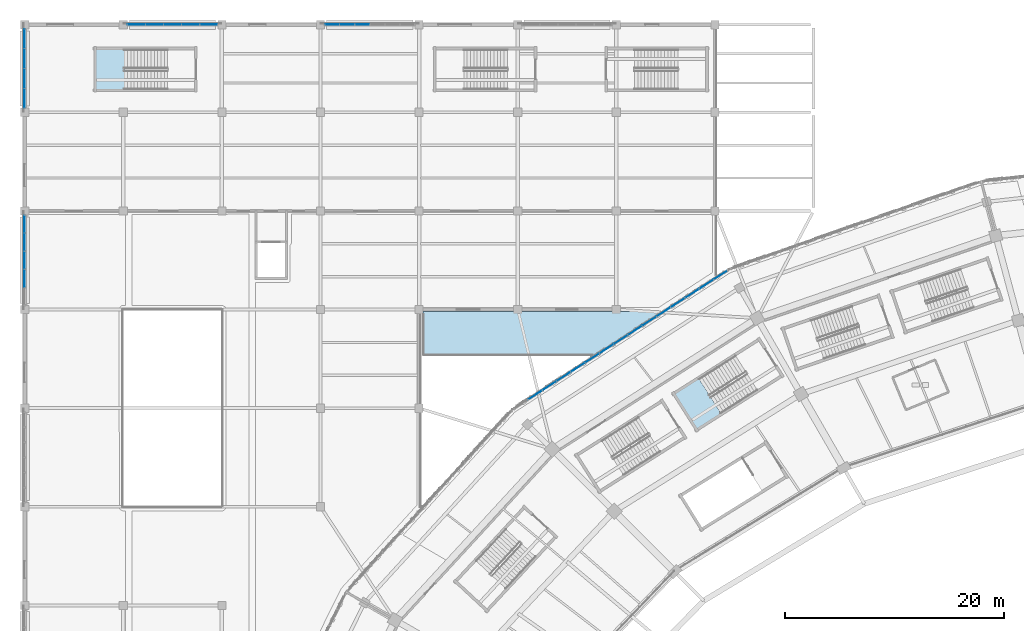
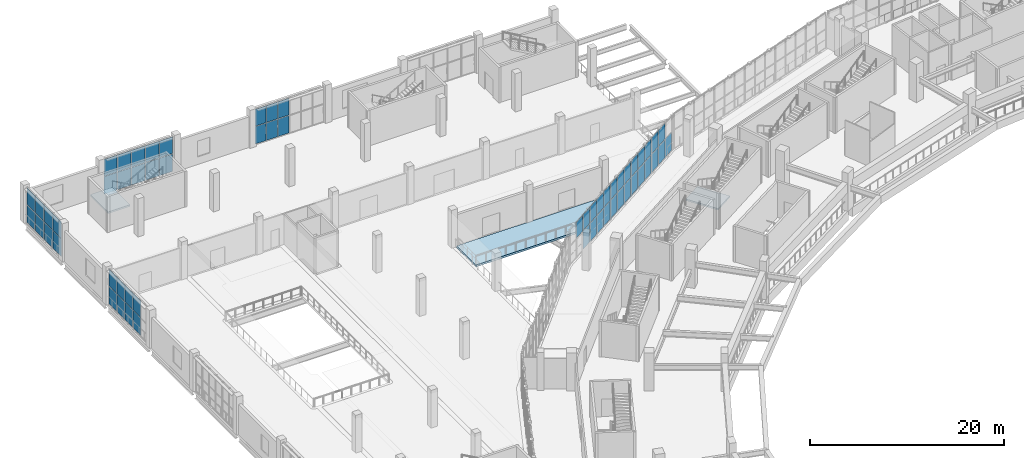
# One storey, part 90 of 179: 58 plates, 3 slabs, 7 elements without a shape of their own.
"""IFC4 building model written with IfcOpenShell, lengths in metres."""

from ifc_helpers import new_model, si_unit, direction, frame, origin, origin_2d, place, context, subcontext, project, spatial, polyline, rectangle, outline, extrude, material, layer, layer_set, type_object, element, aggregate, save


model = new_model("IFC4")

# Units and contexts
model_context = context("Model", 3, precision=1e-05, world=origin(), true_north=direction((0.0, 1.0)))
body_context = subcontext(model_context, "Body", "Model", "MODEL_VIEW")
ifc_project = project(units=[si_unit("LENGTHUNIT", "METRE"), si_unit("AREAUNIT", "SQUARE_METRE"), si_unit("VOLUMEUNIT", "CUBIC_METRE"), si_unit("PLANEANGLEUNIT", "RADIAN"), si_unit("MASSUNIT", "GRAM", prefix="KILO")], contexts=[model_context])

# Site, building, storey
site_placement = place(None, origin())
site = spatial("IfcSite", under=ifc_project, at=site_placement, CompositionType="ELEMENT")
building_placement = place(site_placement, origin())
building = spatial("IfcBuilding", under=site, at=building_placement, Name="Zevraka Park Crest Stadium", CompositionType="ELEMENT")
storey_placement = place(building_placement, frame((0.0, 0.0, 10.199951171875)))
storey = spatial("IfcBuildingStorey", under=building, at=storey_placement, Name="L02", CompositionType="ELEMENT", Elevation=10.199951171875)

# Curtain wall, plates
ifc_material_1 = material(Name="Anodised architectural aluminium and laminated safety glass", Category="aluminium")
curtain_wall_type_1 = type_object("IfcCurtainWallType", Name="CW08", PredefinedType="NOTDEFINED", material=ifc_material_1)
curtain_wall_1_placement = place(storey_placement, origin())
curtain_wall_1 = element("IfcCurtainWall", 1, at=curtain_wall_1_placement, inside=storey, type_object=curtain_wall_type_1, Name="Unitised Ring Curtain Wall CW08 L02-08", PredefinedType="NOTDEFINED")
ifc_material_2 = material(Name="Solar-control laminated double glazing", Category="glass")
ifc_layer_1 = layer(ifc_material_2, 0.028076171875)
ifc_layer_set_1 = layer_set([ifc_layer_1], Name="Solar-control laminated double glazing")
plate_type_1 = type_object("IfcPlateType", Name="CP08", PredefinedType="CURTAIN_PANEL", material=ifc_layer_set_1)
plate_1_placement = place(storey_placement, frame((63.510986328125, 161.141845703125, 0.06494140625), z_axis=(0.0, 0.0, 1.0), x_axis=(-0.839670424967, -0.543096287444, 0.0)))
plate_1 = element("IfcPlate", 2, at=plate_1_placement, type_object=plate_type_1, Name="CW08 panel 1.1", PredefinedType="CURTAIN_PANEL", context=body_context, shape_type="SweptSolid", body=[
    extrude(rectangle(XDim=1.4541015625, YDim=0.028076171875, at=origin_2d()), origin(), (0.0, 0.0, 1.0), 2.302490234375),
])
plate_2_placement = place(storey_placement, frame((62.2216796875, 160.307861328125, 0.06494140625), z_axis=(0.0, 0.0, 1.0), x_axis=(-0.839670424967, -0.543096287444, 0.0)))
plate_2 = element("IfcPlate", 3, at=plate_2_placement, type_object=plate_type_1, Name="CW08 panel 2.1", PredefinedType="CURTAIN_PANEL", context=body_context, shape_type="SweptSolid", body=[
    extrude(rectangle(XDim=1.48681640625, YDim=0.028076171875, at=origin_2d()), origin(), (0.0, 0.0, 1.0), 2.302490234375),
])
plate_3_placement = place(storey_placement, frame((62.2216796875, 160.307861328125, 2.4326171875), z_axis=(0.0, 0.0, 1.0), x_axis=(-0.839670424967, -0.543096287444, 0.0)))
plate_3 = element("IfcPlate", 4, at=plate_3_placement, type_object=plate_type_1, Name="CW08 panel 2.2", PredefinedType="CURTAIN_PANEL", context=body_context, shape_type="SweptSolid", body=[
    extrude(rectangle(XDim=1.48681640625, YDim=0.028076171875, at=origin_2d()), origin(), (0.0, 0.0, 1.0), 2.00244140625),
])
plate_4_placement = place(storey_placement, frame((60.918701171875, 159.465087890625, 0.06494140625), z_axis=(0.0, 0.0, 1.0), x_axis=(-0.839670424967, -0.543096287444, 0.0)))
plate_4 = element("IfcPlate", 5, at=plate_4_placement, type_object=plate_type_1, Name="CW08 panel 3.1", PredefinedType="CURTAIN_PANEL", context=body_context, shape_type="SweptSolid", body=[
    extrude(rectangle(XDim=1.48681640625, YDim=0.028076171875, at=origin_2d()), origin(), (0.0, 0.0, 1.0), 2.302490234375),
])
plate_5_placement = place(storey_placement, frame((60.918701171875, 159.465087890625, 2.4326171875), z_axis=(0.0, 0.0, 1.0), x_axis=(-0.839670424967, -0.543096287444, 0.0)))
plate_5 = element("IfcPlate", 6, at=plate_5_placement, type_object=plate_type_1, Name="CW08 panel 3.2", PredefinedType="CURTAIN_PANEL", context=body_context, shape_type="SweptSolid", body=[
    extrude(rectangle(XDim=1.48681640625, YDim=0.028076171875, at=origin_2d()), origin(), (0.0, 0.0, 1.0), 2.00244140625),
])
plate_6_placement = place(storey_placement, frame((59.61572265625, 158.622314453125, 0.06494140625), z_axis=(0.0, 0.0, 1.0), x_axis=(-0.839670424967, -0.543096287444, 0.0)))
plate_6 = element("IfcPlate", 7, at=plate_6_placement, type_object=plate_type_1, Name="CW08 panel 4.1", PredefinedType="CURTAIN_PANEL", context=body_context, shape_type="SweptSolid", body=[
    extrude(rectangle(XDim=1.48681640625, YDim=0.028076171875, at=origin_2d()), origin(), (0.0, 0.0, 1.0), 2.302490234375),
])
plate_7_placement = place(storey_placement, frame((59.61572265625, 158.622314453125, 2.4326171875), z_axis=(0.0, 0.0, 1.0), x_axis=(-0.839670424967, -0.543096287444, 0.0)))
plate_7 = element("IfcPlate", 8, at=plate_7_placement, type_object=plate_type_1, Name="CW08 panel 4.2", PredefinedType="CURTAIN_PANEL", context=body_context, shape_type="SweptSolid", body=[
    extrude(rectangle(XDim=1.48681640625, YDim=0.028076171875, at=origin_2d()), origin(), (0.0, 0.0, 1.0), 2.00244140625),
])
plate_8_placement = place(storey_placement, frame((58.312744140625, 157.77978515625, 0.06494140625), z_axis=(0.0, 0.0, 1.0), x_axis=(-0.839670424967, -0.543096287444, 0.0)))
plate_8 = element("IfcPlate", 9, at=plate_8_placement, type_object=plate_type_1, Name="CW08 panel 5.1", PredefinedType="CURTAIN_PANEL", context=body_context, shape_type="SweptSolid", body=[
    extrude(rectangle(XDim=1.48681640625, YDim=0.028076171875, at=origin_2d()), origin(), (0.0, 0.0, 1.0), 2.302490234375),
])
plate_9_placement = place(storey_placement, frame((58.312744140625, 157.77978515625, 2.4326171875), z_axis=(0.0, 0.0, 1.0), x_axis=(-0.839670424967, -0.543096287444, 0.0)))
plate_9 = element("IfcPlate", 10, at=plate_9_placement, type_object=plate_type_1, Name="CW08 panel 5.2", PredefinedType="CURTAIN_PANEL", context=body_context, shape_type="SweptSolid", body=[
    extrude(rectangle(XDim=1.48681640625, YDim=0.028076171875, at=origin_2d()), origin(), (0.0, 0.0, 1.0), 2.00244140625),
])
plate_10_placement = place(storey_placement, frame((57.009765625, 156.93701171875, 0.06494140625), z_axis=(0.0, 0.0, 1.0), x_axis=(-0.839670424967, -0.543096287444, 0.0)))
plate_10 = element("IfcPlate", 11, at=plate_10_placement, type_object=plate_type_1, Name="CW08 panel 6.1", PredefinedType="CURTAIN_PANEL", context=body_context, shape_type="SweptSolid", body=[
    extrude(rectangle(XDim=1.48681640625, YDim=0.028076171875, at=origin_2d()), origin(), (0.0, 0.0, 1.0), 2.302490234375),
])
plate_11_placement = place(storey_placement, frame((57.009765625, 156.93701171875, 2.4326171875), z_axis=(0.0, 0.0, 1.0), x_axis=(-0.839670424967, -0.543096287444, 0.0)))
plate_11 = element("IfcPlate", 12, at=plate_11_placement, type_object=plate_type_1, Name="CW08 panel 6.2", PredefinedType="CURTAIN_PANEL", context=body_context, shape_type="SweptSolid", body=[
    extrude(rectangle(XDim=1.48681640625, YDim=0.028076171875, at=origin_2d()), origin(), (0.0, 0.0, 1.0), 2.00244140625),
])
plate_12_placement = place(storey_placement, frame((55.70703125, 156.09423828125, 0.06494140625), z_axis=(0.0, 0.0, 1.0), x_axis=(-0.839670424967, -0.543096287444, 0.0)))
plate_12 = element("IfcPlate", 13, at=plate_12_placement, type_object=plate_type_1, Name="CW08 panel 7.1", PredefinedType="CURTAIN_PANEL", context=body_context, shape_type="SweptSolid", body=[
    extrude(rectangle(XDim=1.48681640625, YDim=0.028076171875, at=origin_2d()), origin(), (0.0, 0.0, 1.0), 2.302490234375),
])
plate_13_placement = place(storey_placement, frame((55.70703125, 156.09423828125, 2.4326171875), z_axis=(0.0, 0.0, 1.0), x_axis=(-0.839670424967, -0.543096287444, 0.0)))
plate_13 = element("IfcPlate", 14, at=plate_13_placement, type_object=plate_type_1, Name="CW08 panel 7.2", PredefinedType="CURTAIN_PANEL", context=body_context, shape_type="SweptSolid", body=[
    extrude(rectangle(XDim=1.48681640625, YDim=0.028076171875, at=origin_2d()), origin(), (0.0, 0.0, 1.0), 2.00244140625),
])
plate_14_placement = place(storey_placement, frame((54.404052734375, 155.25146484375, 0.06494140625), z_axis=(0.0, 0.0, 1.0), x_axis=(-0.839670424967, -0.543096287444, 0.0)))
plate_14 = element("IfcPlate", 15, at=plate_14_placement, type_object=plate_type_1, Name="CW08 panel 8.1", PredefinedType="CURTAIN_PANEL", context=body_context, shape_type="SweptSolid", body=[
    extrude(rectangle(XDim=1.48681640625, YDim=0.028076171875, at=origin_2d()), origin(), (0.0, 0.0, 1.0), 2.302490234375),
])
plate_15_placement = place(storey_placement, frame((54.404052734375, 155.25146484375, 2.4326171875), z_axis=(0.0, 0.0, 1.0), x_axis=(-0.839670424967, -0.543096287444, 0.0)))
plate_15 = element("IfcPlate", 16, at=plate_15_placement, type_object=plate_type_1, Name="CW08 panel 8.2", PredefinedType="CURTAIN_PANEL", context=body_context, shape_type="SweptSolid", body=[
    extrude(rectangle(XDim=1.48681640625, YDim=0.028076171875, at=origin_2d()), origin(), (0.0, 0.0, 1.0), 2.00244140625),
])
plate_16_placement = place(storey_placement, frame((53.10107421875, 154.40869140625, 0.06494140625), z_axis=(0.0, 0.0, 1.0), x_axis=(-0.839670424967, -0.543096287444, 0.0)))
plate_16 = element("IfcPlate", 17, at=plate_16_placement, type_object=plate_type_1, Name="CW08 panel 9.1", PredefinedType="CURTAIN_PANEL", context=body_context, shape_type="SweptSolid", body=[
    extrude(rectangle(XDim=1.48681640625, YDim=0.028076171875, at=origin_2d()), origin(), (0.0, 0.0, 1.0), 2.302490234375),
])
plate_17_placement = place(storey_placement, frame((53.10107421875, 154.40869140625, 2.4326171875), z_axis=(0.0, 0.0, 1.0), x_axis=(-0.839670424967, -0.543096287444, 0.0)))
plate_17 = element("IfcPlate", 18, at=plate_17_placement, type_object=plate_type_1, Name="CW08 panel 9.2", PredefinedType="CURTAIN_PANEL", context=body_context, shape_type="SweptSolid", body=[
    extrude(rectangle(XDim=1.48681640625, YDim=0.028076171875, at=origin_2d()), origin(), (0.0, 0.0, 1.0), 2.00244140625),
])
plate_18_placement = place(storey_placement, frame((51.798095703125, 153.56591796875, 0.06494140625), z_axis=(0.0, 0.0, 1.0), x_axis=(-0.839670424967, -0.543096287444, 0.0)))
plate_18 = element("IfcPlate", 19, at=plate_18_placement, type_object=plate_type_1, Name="CW08 panel 10.1", PredefinedType="CURTAIN_PANEL", context=body_context, shape_type="SweptSolid", body=[
    extrude(rectangle(XDim=1.48681640625, YDim=0.028076171875, at=origin_2d()), origin(), (0.0, 0.0, 1.0), 2.302490234375),
])
plate_19_placement = place(storey_placement, frame((51.798095703125, 153.56591796875, 2.4326171875), z_axis=(0.0, 0.0, 1.0), x_axis=(-0.839670424967, -0.543096287444, 0.0)))
plate_19 = element("IfcPlate", 20, at=plate_19_placement, type_object=plate_type_1, Name="CW08 panel 10.2", PredefinedType="CURTAIN_PANEL", context=body_context, shape_type="SweptSolid", body=[
    extrude(rectangle(XDim=1.48681640625, YDim=0.028076171875, at=origin_2d()), origin(), (0.0, 0.0, 1.0), 2.00244140625),
])
plate_20_placement = place(storey_placement, frame((50.4951171875, 152.723388671875, 0.06494140625), z_axis=(0.0, 0.0, 1.0), x_axis=(-0.839670424967, -0.543096287444, 0.0)))
plate_20 = element("IfcPlate", 21, at=plate_20_placement, type_object=plate_type_1, Name="CW08 panel 11.1", PredefinedType="CURTAIN_PANEL", context=body_context, shape_type="SweptSolid", body=[
    extrude(rectangle(XDim=1.48681640625, YDim=0.028076171875, at=origin_2d()), origin(), (0.0, 0.0, 1.0), 2.302490234375),
])
plate_21_placement = place(storey_placement, frame((50.4951171875, 152.723388671875, 2.4326171875), z_axis=(0.0, 0.0, 1.0), x_axis=(-0.839670424967, -0.543096287444, 0.0)))
plate_21 = element("IfcPlate", 22, at=plate_21_placement, type_object=plate_type_1, Name="CW08 panel 11.2", PredefinedType="CURTAIN_PANEL", context=body_context, shape_type="SweptSolid", body=[
    extrude(rectangle(XDim=1.48681640625, YDim=0.028076171875, at=origin_2d()), origin(), (0.0, 0.0, 1.0), 2.00244140625),
])
plate_22_placement = place(storey_placement, frame((49.1923828125, 151.880615234375, 0.06494140625), z_axis=(0.0, 0.0, 1.0), x_axis=(-0.839670424967, -0.543096287444, 0.0)))
plate_22 = element("IfcPlate", 23, at=plate_22_placement, type_object=plate_type_1, Name="CW08 panel 12.1", PredefinedType="CURTAIN_PANEL", context=body_context, shape_type="SweptSolid", body=[
    extrude(rectangle(XDim=1.48681640625, YDim=0.028076171875, at=origin_2d()), origin(), (0.0, 0.0, 1.0), 2.302490234375),
])
plate_23_placement = place(storey_placement, frame((49.1923828125, 151.880615234375, 2.4326171875), z_axis=(0.0, 0.0, 1.0), x_axis=(-0.839670424967, -0.543096287444, 0.0)))
plate_23 = element("IfcPlate", 24, at=plate_23_placement, type_object=plate_type_1, Name="CW08 panel 12.2", PredefinedType="CURTAIN_PANEL", context=body_context, shape_type="SweptSolid", body=[
    extrude(rectangle(XDim=1.48681640625, YDim=0.028076171875, at=origin_2d()), origin(), (0.0, 0.0, 1.0), 2.00244140625),
])
plate_24_placement = place(storey_placement, frame((47.889404296875, 151.037841796875, 0.06494140625), z_axis=(0.0, 0.0, 1.0), x_axis=(-0.839670424967, -0.543096287444, 0.0)))
plate_24 = element("IfcPlate", 25, at=plate_24_placement, type_object=plate_type_1, Name="CW08 panel 13.1", PredefinedType="CURTAIN_PANEL", context=body_context, shape_type="SweptSolid", body=[
    extrude(rectangle(XDim=1.48681640625, YDim=0.028076171875, at=origin_2d()), origin(), (0.0, 0.0, 1.0), 2.302490234375),
])
plate_25_placement = place(storey_placement, frame((47.889404296875, 151.037841796875, 2.4326171875), z_axis=(0.0, 0.0, 1.0), x_axis=(-0.839670424967, -0.543096287444, 0.0)))
plate_25 = element("IfcPlate", 26, at=plate_25_placement, type_object=plate_type_1, Name="CW08 panel 13.2", PredefinedType="CURTAIN_PANEL", context=body_context, shape_type="SweptSolid", body=[
    extrude(rectangle(XDim=1.48681640625, YDim=0.028076171875, at=origin_2d()), origin(), (0.0, 0.0, 1.0), 2.00244140625),
])
plate_26_placement = place(storey_placement, frame((46.58642578125, 150.195068359375, 2.4326171875), z_axis=(0.0, 0.0, 1.0), x_axis=(-0.839670424967, -0.543096287444, 0.0)))
plate_26 = element("IfcPlate", 27, at=plate_26_placement, type_object=plate_type_1, Name="CW08 panel 14.2", PredefinedType="CURTAIN_PANEL", context=body_context, shape_type="SweptSolid", body=[
    extrude(rectangle(XDim=1.48681640625, YDim=0.028076171875, at=origin_2d()), origin(), (0.0, 0.0, 1.0), 2.00244140625),
])
aggregate(curtain_wall_1, [plate_1, plate_2, plate_3, plate_4, plate_5, plate_6, plate_7, plate_8, plate_9, plate_10, plate_11, plate_12, plate_13, plate_14, plate_15, plate_16, plate_17, plate_18, plate_19, plate_20, plate_21, plate_22, plate_23, plate_24, plate_25, plate_26])

ifc_material_3 = material(Name="Anodised architectural aluminium and laminated safety glass", Category="aluminium")
curtain_wall_type_2 = type_object("IfcCurtainWallType", Name="CW26", PredefinedType="NOTDEFINED", material=ifc_material_3)
curtain_wall_2_placement = place(storey_placement, origin())
curtain_wall_2 = element("IfcCurtainWall", 28, at=curtain_wall_2_placement, inside=storey, type_object=curtain_wall_type_2, Name="Wing Curtain Wall CW26 L02-NW-N2-4", PredefinedType="NOTDEFINED")
ifc_material_4 = material(Name="Solar-control laminated double glazing", Category="glass")
ifc_layer_2 = layer(ifc_material_4, 0.035888671875)
ifc_layer_set_2 = layer_set([ifc_layer_2], Name="Solar-control laminated double glazing")
plate_type_2 = type_object("IfcPlateType", Name="CP26", PredefinedType="CURTAIN_PANEL", material=ifc_layer_set_2)
plate_27_placement = place(storey_placement, frame((28.0703125, 184.0, 0.06494140625), z_axis=(0.0, 0.0, 1.0), x_axis=(1.0, 0.0, 0.0)))
plate_27 = element("IfcPlate", 29, at=plate_27_placement, type_object=plate_type_2, Name="CW26 panel 1.1", PredefinedType="CURTAIN_PANEL", context=body_context, shape_type="SweptSolid", body=[
    extrude(rectangle(XDim=1.28076171875, YDim=0.035888671875, at=origin_2d()), origin(), (0.0, 0.0, 1.0), 2.202392578125),
])
plate_28_placement = place(storey_placement, frame((28.0703125, 184.0, 2.33251953125), z_axis=(0.0, 0.0, 1.0), x_axis=(1.0, 0.0, 0.0)))
plate_28 = element("IfcPlate", 30, at=plate_28_placement, type_object=plate_type_2, Name="CW26 panel 1.2", PredefinedType="CURTAIN_PANEL", context=body_context, shape_type="SweptSolid", body=[
    extrude(rectangle(XDim=1.28076171875, YDim=0.035888671875, at=origin_2d()), origin(), (0.0, 0.0, 1.0), 2.1025390625),
])
plate_29_placement = place(storey_placement, frame((29.4326171875, 184.0, 0.06494140625), z_axis=(0.0, 0.0, 1.0), x_axis=(1.0, 0.0, 0.0)))
plate_29 = element("IfcPlate", 31, at=plate_29_placement, type_object=plate_type_2, Name="CW26 panel 2.1", PredefinedType="CURTAIN_PANEL", context=body_context, shape_type="SweptSolid", body=[
    extrude(rectangle(XDim=1.313232421875, YDim=0.035888671875, at=origin_2d()), origin(), (0.0, 0.0, 1.0), 2.202392578125),
])
plate_30_placement = place(storey_placement, frame((29.4326171875, 184.0, 2.33251953125), z_axis=(0.0, 0.0, 1.0), x_axis=(1.0, 0.0, 0.0)))
plate_30 = element("IfcPlate", 32, at=plate_30_placement, type_object=plate_type_2, Name="CW26 panel 2.2", PredefinedType="CURTAIN_PANEL", context=body_context, shape_type="SweptSolid", body=[
    extrude(rectangle(XDim=1.313232421875, YDim=0.035888671875, at=origin_2d()), origin(), (0.0, 0.0, 1.0), 2.1025390625),
])
plate_31_placement = place(storey_placement, frame((30.810791015625, 184.0, 0.06494140625), z_axis=(0.0, 0.0, 1.0), x_axis=(1.0, 0.0, 0.0)))
plate_31 = element("IfcPlate", 33, at=plate_31_placement, type_object=plate_type_2, Name="CW26 panel 3.1", PredefinedType="CURTAIN_PANEL", context=body_context, shape_type="SweptSolid", body=[
    extrude(rectangle(XDim=1.313232421875, YDim=0.035888671875, at=origin_2d()), origin(), (0.0, 0.0, 1.0), 2.202392578125),
])
plate_32_placement = place(storey_placement, frame((30.810791015625, 184.0, 2.33251953125), z_axis=(0.0, 0.0, 1.0), x_axis=(1.0, 0.0, 0.0)))
plate_32 = element("IfcPlate", 34, at=plate_32_placement, type_object=plate_type_2, Name="CW26 panel 3.2", PredefinedType="CURTAIN_PANEL", context=body_context, shape_type="SweptSolid", body=[
    extrude(rectangle(XDim=1.313232421875, YDim=0.035888671875, at=origin_2d()), origin(), (0.0, 0.0, 1.0), 2.1025390625),
])
aggregate(curtain_wall_2, [plate_27, plate_28, plate_29, plate_30, plate_31, plate_32])

ifc_material_5 = material(Name="Anodised architectural aluminium and laminated safety glass", Category="aluminium")
curtain_wall_type_3 = type_object("IfcCurtainWallType", Name="CW28", PredefinedType="NOTDEFINED", material=ifc_material_5)
curtain_wall_3_placement = place(storey_placement, origin())
curtain_wall_3 = element("IfcCurtainWall", 35, at=curtain_wall_3_placement, inside=storey, type_object=curtain_wall_type_3, Name="Wing Curtain Wall CW28 L02-NW-W-6", PredefinedType="NOTDEFINED")
ifc_material_6 = material(Name="Solar-control laminated double glazing", Category="glass")
ifc_layer_3 = layer(ifc_material_6, 0.035888671875)
ifc_layer_set_3 = layer_set([ifc_layer_3], Name="Solar-control laminated double glazing")
plate_type_3 = type_object("IfcPlateType", Name="CP28", PredefinedType="CURTAIN_PANEL", material=ifc_layer_set_3)
plate_33_placement = place(storey_placement, frame((0.0, 160.845947265625, 0.06005859375), z_axis=(0.0, 0.0, 1.0), x_axis=(0.0, 1.0, 0.0)))
plate_33 = element("IfcPlate", 36, at=plate_33_placement, type_object=plate_type_3, Name="CW28 panel 2.1", PredefinedType="CURTAIN_PANEL", context=body_context, shape_type="SweptSolid", body=[
    extrude(rectangle(XDim=1.593994140625, YDim=0.035888671875, at=origin_2d()), origin(), (0.0, 0.0, 1.0), 2.2099609375),
])
plate_34_placement = place(storey_placement, frame((0.0, 160.845947265625, 2.330078125), z_axis=(0.0, 0.0, 1.0), x_axis=(0.0, 1.0, 0.0)))
plate_34 = element("IfcPlate", 37, at=plate_34_placement, type_object=plate_type_3, Name="CW28 panel 2.2", PredefinedType="CURTAIN_PANEL", context=body_context, shape_type="SweptSolid", body=[
    extrude(rectangle(XDim=1.593994140625, YDim=0.035888671875, at=origin_2d()), origin(), (0.0, 0.0, 1.0), 2.110107421875),
])
plate_35_placement = place(storey_placement, frame((0.0, 162.5, 0.06005859375), z_axis=(0.0, 0.0, 1.0), x_axis=(0.0, 1.0, 0.0)))
plate_35 = element("IfcPlate", 38, at=plate_35_placement, type_object=plate_type_3, Name="CW28 panel 3.1", PredefinedType="CURTAIN_PANEL", context=body_context, shape_type="SweptSolid", body=[
    extrude(rectangle(XDim=1.593994140625, YDim=0.035888671875, at=origin_2d()), origin(), (0.0, 0.0, 1.0), 2.2099609375),
])
plate_36_placement = place(storey_placement, frame((0.0, 162.5, 2.330078125), z_axis=(0.0, 0.0, 1.0), x_axis=(0.0, 1.0, 0.0)))
plate_36 = element("IfcPlate", 39, at=plate_36_placement, type_object=plate_type_3, Name="CW28 panel 3.2", PredefinedType="CURTAIN_PANEL", context=body_context, shape_type="SweptSolid", body=[
    extrude(rectangle(XDim=1.593994140625, YDim=0.035888671875, at=origin_2d()), origin(), (0.0, 0.0, 1.0), 2.110107421875),
])
plate_37_placement = place(storey_placement, frame((0.0, 164.154052734375, 0.06005859375), z_axis=(0.0, 0.0, 1.0), x_axis=(0.0, 1.0, 0.0)))
plate_37 = element("IfcPlate", 40, at=plate_37_placement, type_object=plate_type_3, Name="CW28 panel 4.1", PredefinedType="CURTAIN_PANEL", context=body_context, shape_type="SweptSolid", body=[
    extrude(rectangle(XDim=1.593994140625, YDim=0.035888671875, at=origin_2d()), origin(), (0.0, 0.0, 1.0), 2.2099609375),
])
plate_38_placement = place(storey_placement, frame((0.0, 164.154052734375, 2.330078125), z_axis=(0.0, 0.0, 1.0), x_axis=(0.0, 1.0, 0.0)))
plate_38 = element("IfcPlate", 41, at=plate_38_placement, type_object=plate_type_3, Name="CW28 panel 4.2", PredefinedType="CURTAIN_PANEL", context=body_context, shape_type="SweptSolid", body=[
    extrude(rectangle(XDim=1.593994140625, YDim=0.035888671875, at=origin_2d()), origin(), (0.0, 0.0, 1.0), 2.110107421875),
])
plate_39_placement = place(storey_placement, frame((0.0, 165.79296875, 0.06005859375), z_axis=(0.0, 0.0, 1.0), x_axis=(0.0, 1.0, 0.0)))
plate_39 = element("IfcPlate", 42, at=plate_39_placement, type_object=plate_type_3, Name="CW28 panel 5.1", PredefinedType="CURTAIN_PANEL", context=body_context, shape_type="SweptSolid", body=[
    extrude(rectangle(XDim=1.56396484375, YDim=0.035888671875, at=origin_2d()), origin(), (0.0, 0.0, 1.0), 2.2099609375),
])
plate_40_placement = place(storey_placement, frame((0.0, 165.79296875, 2.330078125), z_axis=(0.0, 0.0, 1.0), x_axis=(0.0, 1.0, 0.0)))
plate_40 = element("IfcPlate", 43, at=plate_40_placement, type_object=plate_type_3, Name="CW28 panel 5.2", PredefinedType="CURTAIN_PANEL", context=body_context, shape_type="SweptSolid", body=[
    extrude(rectangle(XDim=1.56396484375, YDim=0.035888671875, at=origin_2d()), origin(), (0.0, 0.0, 1.0), 2.110107421875),
])
aggregate(curtain_wall_3, [plate_33, plate_34, plate_35, plate_36, plate_37, plate_38, plate_39, plate_40])

ifc_material_7 = material(Name="Anodised architectural aluminium and laminated safety glass", Category="aluminium")
curtain_wall_type_4 = type_object("IfcCurtainWallType", Name="CW29", PredefinedType="NOTDEFINED", material=ifc_material_7)
curtain_wall_4_placement = place(storey_placement, origin())
curtain_wall_4 = element("IfcCurtainWall", 44, at=curtain_wall_4_placement, inside=storey, type_object=curtain_wall_type_4, Name="Wing Curtain Wall CW29 L02-NW-N2-2", PredefinedType="NOTDEFINED")
ifc_material_8 = material(Name="Solar-control laminated double glazing", Category="glass")
ifc_layer_4 = layer(ifc_material_8, 0.035888671875)
ifc_layer_set_4 = layer_set([ifc_layer_4], Name="Solar-control laminated double glazing")
plate_type_4 = type_object("IfcPlateType", Name="CP29", PredefinedType="CURTAIN_PANEL", material=ifc_layer_set_4)
plate_41_placement = place(storey_placement, frame((10.208251953125, 184.0, 0.06494140625), z_axis=(0.0, 0.0, 1.0), x_axis=(1.0, 0.0, 0.0)))
plate_41 = element("IfcPlate", 45, at=plate_41_placement, type_object=plate_type_4, Name="CW29 panel 1.1", PredefinedType="CURTAIN_PANEL", context=body_context, shape_type="SweptSolid", body=[
    extrude(rectangle(XDim=1.556396484375, YDim=0.035888671875, at=origin_2d()), origin(), (0.0, 0.0, 1.0), 2.202392578125),
])
plate_42_placement = place(storey_placement, frame((10.208251953125, 184.0, 2.33251953125), z_axis=(0.0, 0.0, 1.0), x_axis=(1.0, 0.0, 0.0)))
plate_42 = element("IfcPlate", 46, at=plate_42_placement, type_object=plate_type_4, Name="CW29 panel 1.2", PredefinedType="CURTAIN_PANEL", context=body_context, shape_type="SweptSolid", body=[
    extrude(rectangle(XDim=1.556396484375, YDim=0.035888671875, at=origin_2d()), origin(), (0.0, 0.0, 1.0), 2.1025390625),
])
plate_43_placement = place(storey_placement, frame((11.845947265625, 184.0, 0.06494140625), z_axis=(0.0, 0.0, 1.0), x_axis=(1.0, 0.0, 0.0)))
plate_43 = element("IfcPlate", 47, at=plate_43_placement, type_object=plate_type_4, Name="CW29 panel 2.1", PredefinedType="CURTAIN_PANEL", context=body_context, shape_type="SweptSolid", body=[
    extrude(rectangle(XDim=1.589111328125, YDim=0.035888671875, at=origin_2d()), origin(), (0.0, 0.0, 1.0), 2.202392578125),
])
plate_44_placement = place(storey_placement, frame((11.845947265625, 184.0, 2.33251953125), z_axis=(0.0, 0.0, 1.0), x_axis=(1.0, 0.0, 0.0)))
plate_44 = element("IfcPlate", 48, at=plate_44_placement, type_object=plate_type_4, Name="CW29 panel 2.2", PredefinedType="CURTAIN_PANEL", context=body_context, shape_type="SweptSolid", body=[
    extrude(rectangle(XDim=1.589111328125, YDim=0.035888671875, at=origin_2d()), origin(), (0.0, 0.0, 1.0), 2.1025390625),
])
plate_45_placement = place(storey_placement, frame((13.5, 184.0, 0.06494140625), z_axis=(0.0, 0.0, 1.0), x_axis=(1.0, 0.0, 0.0)))
plate_45 = element("IfcPlate", 49, at=plate_45_placement, type_object=plate_type_4, Name="CW29 panel 3.1", PredefinedType="CURTAIN_PANEL", context=body_context, shape_type="SweptSolid", body=[
    extrude(rectangle(XDim=1.589111328125, YDim=0.035888671875, at=origin_2d()), origin(), (0.0, 0.0, 1.0), 2.202392578125),
])
plate_46_placement = place(storey_placement, frame((13.5, 184.0, 2.33251953125), z_axis=(0.0, 0.0, 1.0), x_axis=(1.0, 0.0, 0.0)))
plate_46 = element("IfcPlate", 50, at=plate_46_placement, type_object=plate_type_4, Name="CW29 panel 3.2", PredefinedType="CURTAIN_PANEL", context=body_context, shape_type="SweptSolid", body=[
    extrude(rectangle(XDim=1.589111328125, YDim=0.035888671875, at=origin_2d()), origin(), (0.0, 0.0, 1.0), 2.1025390625),
])
plate_47_placement = place(storey_placement, frame((15.154052734375, 184.0, 0.06494140625), z_axis=(0.0, 0.0, 1.0), x_axis=(1.0, 0.0, 0.0)))
plate_47 = element("IfcPlate", 51, at=plate_47_placement, type_object=plate_type_4, Name="CW29 panel 4.1", PredefinedType="CURTAIN_PANEL", context=body_context, shape_type="SweptSolid", body=[
    extrude(rectangle(XDim=1.589111328125, YDim=0.035888671875, at=origin_2d()), origin(), (0.0, 0.0, 1.0), 2.202392578125),
])
plate_48_placement = place(storey_placement, frame((15.154052734375, 184.0, 2.33251953125), z_axis=(0.0, 0.0, 1.0), x_axis=(1.0, 0.0, 0.0)))
plate_48 = element("IfcPlate", 52, at=plate_48_placement, type_object=plate_type_4, Name="CW29 panel 4.2", PredefinedType="CURTAIN_PANEL", context=body_context, shape_type="SweptSolid", body=[
    extrude(rectangle(XDim=1.589111328125, YDim=0.035888671875, at=origin_2d()), origin(), (0.0, 0.0, 1.0), 2.1025390625),
])
plate_49_placement = place(storey_placement, frame((16.791748046875, 184.0, 0.06494140625), z_axis=(0.0, 0.0, 1.0), x_axis=(1.0, 0.0, 0.0)))
plate_49 = element("IfcPlate", 53, at=plate_49_placement, type_object=plate_type_4, Name="CW29 panel 5.1", PredefinedType="CURTAIN_PANEL", context=body_context, shape_type="SweptSolid", body=[
    extrude(rectangle(XDim=1.556396484375, YDim=0.035888671875, at=origin_2d()), origin(), (0.0, 0.0, 1.0), 2.202392578125),
])
plate_50_placement = place(storey_placement, frame((16.791748046875, 184.0, 2.33251953125), z_axis=(0.0, 0.0, 1.0), x_axis=(1.0, 0.0, 0.0)))
plate_50 = element("IfcPlate", 54, at=plate_50_placement, type_object=plate_type_4, Name="CW29 panel 5.2", PredefinedType="CURTAIN_PANEL", context=body_context, shape_type="SweptSolid", body=[
    extrude(rectangle(XDim=1.556396484375, YDim=0.035888671875, at=origin_2d()), origin(), (0.0, 0.0, 1.0), 2.1025390625),
])
aggregate(curtain_wall_4, [plate_41, plate_42, plate_43, plate_44, plate_45, plate_46, plate_47, plate_48, plate_49, plate_50])

ifc_material_9 = material(Name="Anodised architectural aluminium and laminated safety glass", Category="aluminium")
curtain_wall_type_5 = type_object("IfcCurtainWallType", Name="CW30", PredefinedType="NOTDEFINED", material=ifc_material_9)
curtain_wall_5_placement = place(storey_placement, origin())
curtain_wall_5 = element("IfcCurtainWall", 55, at=curtain_wall_5_placement, inside=storey, type_object=curtain_wall_type_5, Name="Wing Curtain Wall CW30 L02-NW-W-8", PredefinedType="NOTDEFINED")
ifc_material_10 = material(Name="Solar-control laminated double glazing", Category="glass")
ifc_layer_5 = layer(ifc_material_10, 0.035888671875)
ifc_layer_set_5 = layer_set([ifc_layer_5], Name="Solar-control laminated double glazing")
plate_type_5 = type_object("IfcPlateType", Name="CP30", PredefinedType="CURTAIN_PANEL", material=ifc_layer_set_5)
plate_51_placement = place(storey_placement, frame((0.0, 177.291259765625, 0.06982421875), z_axis=(0.0, 0.0, 1.0), x_axis=(0.0, 1.0, 0.0)))
plate_51 = element("IfcPlate", 56, at=plate_51_placement, type_object=plate_type_5, Name="CW30 panel 1.1", PredefinedType="CURTAIN_PANEL", context=body_context, shape_type="SweptSolid", body=[
    extrude(rectangle(XDim=1.71240234375, YDim=0.035888671875, at=origin_2d()), origin(), (0.0, 0.0, 1.0), 2.195068359375),
])
plate_52_placement = place(storey_placement, frame((0.0, 177.291259765625, 2.3349609375), z_axis=(0.0, 0.0, 1.0), x_axis=(0.0, 1.0, 0.0)))
plate_52 = element("IfcPlate", 57, at=plate_52_placement, type_object=plate_type_5, Name="CW30 panel 1.2", PredefinedType="CURTAIN_PANEL", context=body_context, shape_type="SweptSolid", body=[
    extrude(rectangle(XDim=1.71240234375, YDim=0.035888671875, at=origin_2d()), origin(), (0.0, 0.0, 1.0), 2.094970703125),
])
plate_53_placement = place(storey_placement, frame((0.0, 179.09130859375, 0.06982421875), z_axis=(0.0, 0.0, 1.0), x_axis=(0.0, 1.0, 0.0)))
plate_53 = element("IfcPlate", 58, at=plate_53_placement, type_object=plate_type_5, Name="CW30 panel 2.1", PredefinedType="CURTAIN_PANEL", context=body_context, shape_type="SweptSolid", body=[
    extrude(rectangle(XDim=1.74755859375, YDim=0.035888671875, at=origin_2d()), origin(), (0.0, 0.0, 1.0), 2.195068359375),
])
plate_54_placement = place(storey_placement, frame((0.0, 179.09130859375, 2.3349609375), z_axis=(0.0, 0.0, 1.0), x_axis=(0.0, 1.0, 0.0)))
plate_54 = element("IfcPlate", 59, at=plate_54_placement, type_object=plate_type_5, Name="CW30 panel 2.2", PredefinedType="CURTAIN_PANEL", context=body_context, shape_type="SweptSolid", body=[
    extrude(rectangle(XDim=1.74755859375, YDim=0.035888671875, at=origin_2d()), origin(), (0.0, 0.0, 1.0), 2.094970703125),
])
plate_55_placement = place(storey_placement, frame((0.0, 180.90869140625, 0.06982421875), z_axis=(0.0, 0.0, 1.0), x_axis=(0.0, 1.0, 0.0)))
plate_55 = element("IfcPlate", 60, at=plate_55_placement, type_object=plate_type_5, Name="CW30 panel 3.1", PredefinedType="CURTAIN_PANEL", context=body_context, shape_type="SweptSolid", body=[
    extrude(rectangle(XDim=1.74755859375, YDim=0.035888671875, at=origin_2d()), origin(), (0.0, 0.0, 1.0), 2.195068359375),
])
plate_56_placement = place(storey_placement, frame((0.0, 180.90869140625, 2.3349609375), z_axis=(0.0, 0.0, 1.0), x_axis=(0.0, 1.0, 0.0)))
plate_56 = element("IfcPlate", 61, at=plate_56_placement, type_object=plate_type_5, Name="CW30 panel 3.2", PredefinedType="CURTAIN_PANEL", context=body_context, shape_type="SweptSolid", body=[
    extrude(rectangle(XDim=1.74755859375, YDim=0.035888671875, at=origin_2d()), origin(), (0.0, 0.0, 1.0), 2.094970703125),
])
plate_57_placement = place(storey_placement, frame((0.0, 182.708740234375, 0.06982421875), z_axis=(0.0, 0.0, 1.0), x_axis=(0.0, 1.0, 0.0)))
plate_57 = element("IfcPlate", 62, at=plate_57_placement, type_object=plate_type_5, Name="CW30 panel 4.1", PredefinedType="CURTAIN_PANEL", context=body_context, shape_type="SweptSolid", body=[
    extrude(rectangle(XDim=1.71240234375, YDim=0.035888671875, at=origin_2d()), origin(), (0.0, 0.0, 1.0), 2.195068359375),
])
plate_58_placement = place(storey_placement, frame((0.0, 182.708740234375, 2.3349609375), z_axis=(0.0, 0.0, 1.0), x_axis=(0.0, 1.0, 0.0)))
plate_58 = element("IfcPlate", 63, at=plate_58_placement, type_object=plate_type_5, Name="CW30 panel 4.2", PredefinedType="CURTAIN_PANEL", context=body_context, shape_type="SweptSolid", body=[
    extrude(rectangle(XDim=1.71240234375, YDim=0.035888671875, at=origin_2d()), origin(), (0.0, 0.0, 1.0), 2.094970703125),
])
aggregate(curtain_wall_5, [plate_51, plate_52, plate_53, plate_54, plate_55, plate_56, plate_57, plate_58])

# Slab
ifc_material_11 = material(Name="Concrete C35/45", Category="concrete")
ifc_layer_6 = layer(ifc_material_11, 0.239990234375)
ifc_layer_set_6 = layer_set([ifc_layer_6], Name="Concrete C35/45")
slab_type_1 = type_object("IfcSlabType", Name="FS04", PredefinedType="FLOOR", material=ifc_layer_set_6)
slab_1_placement = place(storey_placement, frame((0.0, 0.0, -0.239990234375)))
element("IfcSlab", 64, at=slab_1_placement, inside=storey, type_object=slab_type_1, Name="Outdoor Garden-Court Veranda Slab VER-L02-NW", PredefinedType="FLOOR", context=body_context, shape_type="SweptSolid", body=[
    extrude(outline(polyline([(36.35009765625, 153.800048828125), (36.35009765625, 157.800048828125), (58.15087890625, 157.800048828125), (51.967041015625, 153.800048828125), (36.35009765625, 153.800048828125)])), origin(), (0.0, 0.0, 1.0), 0.239990234375),
])

# Stair, slab
ifc_material_12 = material(Name="Concrete C35/45", Category="concrete")
stair_type_1 = type_object("IfcStairType", Name="STA2", PredefinedType="HALF_TURN_STAIR", material=ifc_material_12)
stair_1_placement = place(storey_placement, origin())
stair_1 = element("IfcStair", 65, at=stair_1_placement, inside=storey, type_object=stair_type_1, Name="L02 Protected Concourse Exit Stair ST09", PredefinedType="HALF_TURN_STAIR")
ifc_material_13 = material(Name="Concrete C35/45", Category="concrete")
ifc_layer_7 = layer(ifc_material_13, 0.199951171875)
ifc_layer_set_7 = layer_set([ifc_layer_7], Name="Concrete C35/45")
slab_type_2 = type_object("IfcSlabType", Name="LS01", PredefinedType="LANDING", material=ifc_layer_set_7)
slab_2_placement = place(storey_placement, frame((0.0, 0.0, 2.199951171875)))
slab_2 = element("IfcSlab", 66, at=slab_2_placement, type_object=slab_type_2, Name="ST09 landing 1", PredefinedType="LANDING", context=body_context, shape_type="SweptSolid", body=[
    extrude(outline(polyline([(61.541015625, 151.69189453125), (59.337158203125, 150.293701171875), (61.3515625, 147.118896484375), (63.555419921875, 148.51708984375), (61.541015625, 151.69189453125)])), origin(), (0.0, 0.0, 1.0), 0.2001953125),
])
aggregate(stair_1, [slab_2])

ifc_material_14 = material(Name="Concrete C35/45", Category="concrete")
stair_type_2 = type_object("IfcStairType", Name="STC2", PredefinedType="HALF_TURN_STAIR", material=ifc_material_14)
stair_2_placement = place(storey_placement, origin())
stair_2 = element("IfcStair", 67, at=stair_2_placement, inside=storey, type_object=stair_type_2, Name="L02 NW Veranda Wing North-West Stair ST47", PredefinedType="HALF_TURN_STAIR")
slab_3_placement = place(storey_placement, frame((0.0, 0.0, 2.199951171875)))
slab_3 = element("IfcSlab", 68, at=slab_3_placement, type_object=slab_type_2, Name="ST47 landing 1", PredefinedType="LANDING", context=body_context, shape_type="SweptSolid", body=[
    extrude(outline(polyline([(9.110107421875, 181.75), (6.5, 181.75), (6.5, 178.090087890625), (9.110107421875, 178.090087890625), (9.110107421875, 181.75)])), origin(), (0.0, 0.0, 1.0), 0.2001953125),
])
aggregate(stair_2, [slab_3])

save(model, "model.ifc")
